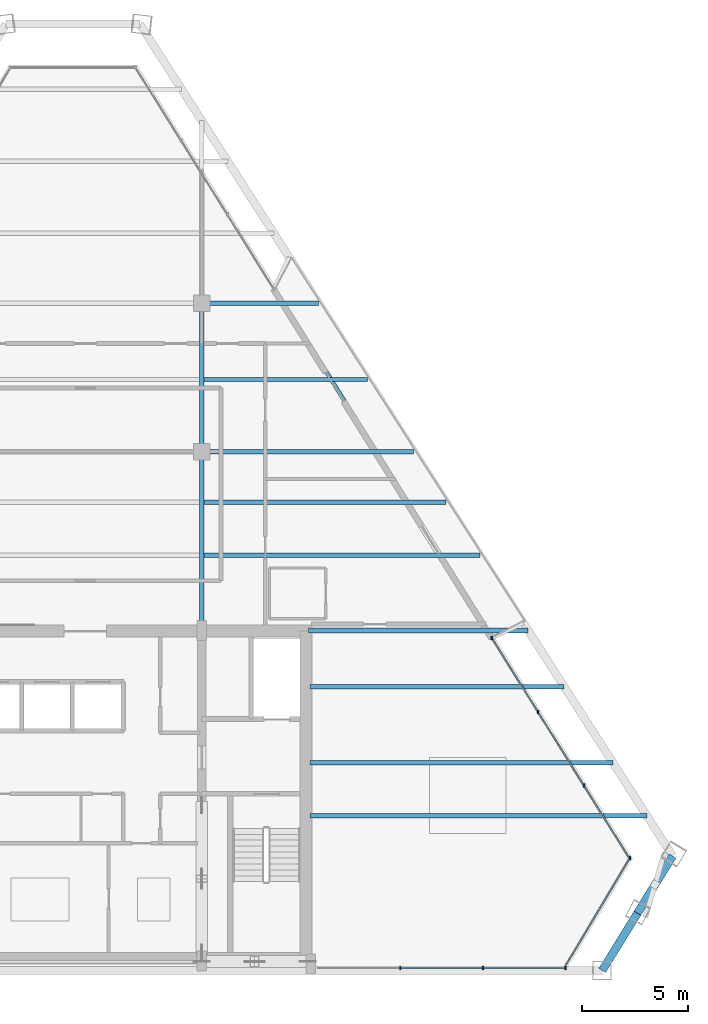
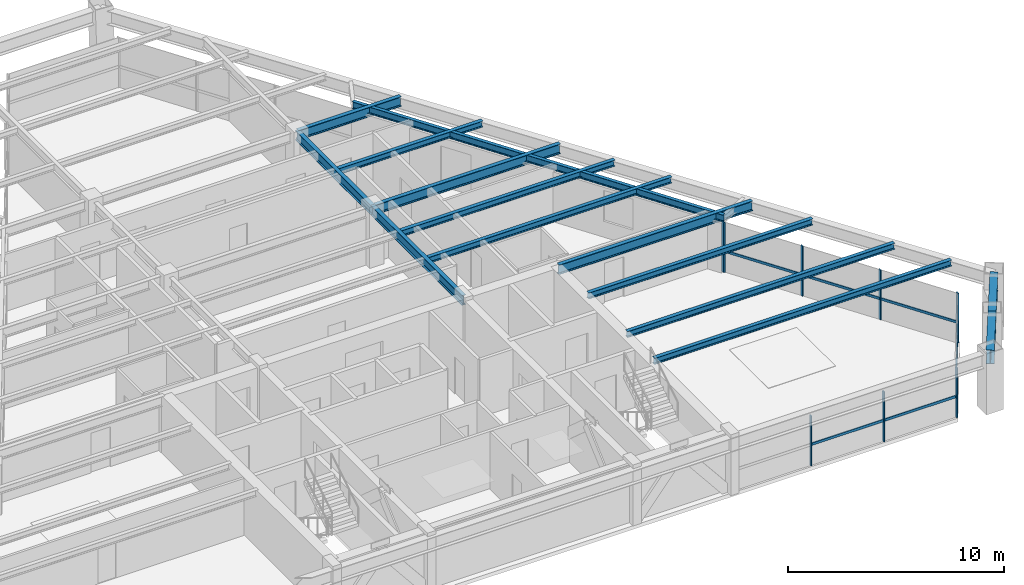
# One storey, part 4 of 12: 14 beams, 14 members, 3 elements without a shape of their own.
"""IFC4 building model written with IfcOpenShell, lengths in metres."""

from ifc_helpers import new_model, si_unit, direction, frame, origin, origin_2d, place, context, subcontext, project, spatial, rectangle, i_section, extrude, source, transform, mapped, material, material_profile, profile_set, type_object, type_shapes, element, aggregate, save


model = new_model("IFC4")

# Units and contexts
model_context = context("Model", 3, precision=1e-05, world=origin(), true_north=direction((0.0, 1.0)))
body_context = subcontext(model_context, "Body", "Model", "MODEL_VIEW")
ifc_project = project(units=[si_unit("LENGTHUNIT", "METRE"), si_unit("AREAUNIT", "SQUARE_METRE"), si_unit("VOLUMEUNIT", "CUBIC_METRE"), si_unit("PLANEANGLEUNIT", "RADIAN"), si_unit("MASSUNIT", "GRAM", prefix="KILO")], contexts=[model_context])

# Site, building, storey
site_placement = place(None, origin())
site = spatial("IfcSite", under=ifc_project, at=site_placement, CompositionType="ELEMENT")
building_placement = place(site_placement, origin())
building = spatial("IfcBuilding", under=site, at=building_placement, Name="Varnakhor Terracotta Tower", CompositionType="ELEMENT")
storey_placement = place(building_placement, frame((0.0, 0.0, 223.449951171875)))
storey = spatial("IfcBuildingStorey", under=building, at=storey_placement, Name="L57", CompositionType="ELEMENT", Elevation=223.449951171875)

# Beams
ifc_material_1 = material(Name="Steel S355", Category="steel")
ifc_material_profile_1 = material_profile(ifc_material_1, i_section(OverallWidth=0.214111328125, OverallDepth=0.549072265625, WebThickness=0.014892578125, FlangeThickness=0.02392578125, FilletRadius=0.01806640625, at=origin_2d()), Name="W21X93")
ifc_profile_set_1 = profile_set([ifc_material_profile_1], Name="Steel S355")
beam_type_1 = type_object("IfcBeamType", Name="BM-W21X93", PredefinedType="BEAM", material=ifc_profile_set_1)
shared_shape_1 = source(origin(), body_context, "Body", "SweptSolid", [
    extrude(i_section(OverallWidth=0.214111328125, OverallDepth=0.549072265625, WebThickness=0.014892578125, FlangeThickness=0.02392578125, FilletRadius=0.01806640625, at=origin_2d()), origin(), (0.0, 0.0, 1.0), 8.449951171875),
])
type_shapes(beam_type_1, [shared_shape_1])
beam_1_placement = place(storey_placement, frame((5.5, 16.050048828125, 2.965576171875), z_axis=(0.0, 1.0, 0.0), x_axis=(-1.0, 0.0, 0.0)))
element("IfcBeam", 1, at=beam_1_placement, inside=storey, type_object=beam_type_1, Name="L57 Primary Girder NS1-E", PredefinedType="BEAM", context=body_context, shape_type="MappedRepresentation", body=[
    mapped(shared_shape_1, transform((0.0, 0.0, 0.0), scale=1.0)),
])
shared_shape_2 = source(origin(), body_context, "Body", "SweptSolid", [
    extrude(i_section(OverallWidth=0.214111328125, OverallDepth=0.549072265625, WebThickness=0.014892578125, FlangeThickness=0.02392578125, FilletRadius=0.01806640625, at=origin_2d()), origin(), (0.0, 0.0, 1.0), 7.0),
])
beam_2_placement = place(storey_placement, frame((5.5, 24.5, 2.965576171875), z_axis=(0.0, 1.0, 0.0), x_axis=(-1.0, 0.0, 0.0)))
element("IfcBeam", 2, at=beam_2_placement, inside=storey, type_object=beam_type_1, Name="L57 Primary Girder NS2-E", PredefinedType="BEAM", context=body_context, shape_type="MappedRepresentation", body=[
    mapped(shared_shape_2, transform((0.0, 0.0, 0.0), scale=1.0)),
])
ifc_material_profile_2 = material_profile(ifc_material_1, i_section(OverallWidth=0.381103515625, OverallDepth=0.77294921875, WebThickness=0.01708984375, FlangeThickness=0.027099609375, FilletRadius=0.01806640625, at=origin_2d()), Name="W30X173")
ifc_profile_set_2 = profile_set([ifc_material_profile_2], Name="Steel S355")
beam_type_2 = type_object("IfcBeamType", Name="BM-W30X173", PredefinedType="BEAM", material=ifc_profile_set_2)
shared_shape_3 = source(origin(), body_context, "Body", "SweptSolid", [
    extrude(i_section(OverallWidth=0.381103515625, OverallDepth=0.77294921875, WebThickness=0.01708984375, FlangeThickness=0.027099609375, FilletRadius=0.01806640625, at=origin_2d()), origin(), (0.0, 0.0, 1.0), 3.17236328125),
])
beam_3_placement = place(storey_placement, frame((24.408935546875, 0.0, 2.853515625), z_axis=(0.523487550194, 0.852033323757, 0.0), x_axis=(-0.852033323757, 0.523487550194, 0.0)))
element("IfcBeam", 3, at=beam_3_placement, inside=storey, type_object=beam_type_2, Name="L57 Perimeter Spandrel 2", PredefinedType="BEAM", context=body_context, shape_type="MappedRepresentation", body=[
    mapped(shared_shape_3, transform((0.0, 0.0, 0.0), scale=1.0)),
])
shared_shape_4 = source(origin(), body_context, "Body", "SweptSolid", [
    extrude(i_section(OverallWidth=0.381103515625, OverallDepth=0.77294921875, WebThickness=0.01708984375, FlangeThickness=0.027099609375, FilletRadius=0.01806640625, at=origin_2d()), origin(), (0.0, 0.0, 1.0), 3.172119140625),
])
beam_4_placement = place(storey_placement, frame((26.069580078125, 2.702880859375, 2.853515625), z_axis=(0.523577746832, 0.851977900548, 0.0), x_axis=(-0.851977900548, 0.523577746832, 0.0)))
element("IfcBeam", 4, at=beam_4_placement, inside=storey, type_object=beam_type_2, Name="L57 Perimeter Spandrel 3", PredefinedType="BEAM", context=body_context, shape_type="MappedRepresentation", body=[
    mapped(shared_shape_4, transform((0.0, 0.0, 0.0), scale=1.0)),
])
ifc_material_profile_3 = material_profile(ifc_material_1, i_section(OverallWidth=0.179931640625, OverallDepth=0.39990234375, WebThickness=0.008544921875, FlangeThickness=0.013427734375, FilletRadius=0.01806640625, at=origin_2d()), Name="IPE400")
ifc_profile_set_3 = profile_set([ifc_material_profile_3], Name="Steel S355")
beam_type_3 = type_object("IfcBeamType", Name="JST-IPE400", PredefinedType="JOIST", material=ifc_profile_set_3)
shared_shape_5 = source(origin(), body_context, "Body", "SweptSolid", [
    extrude(i_section(OverallWidth=0.179931640625, OverallDepth=0.39990234375, WebThickness=0.008544921875, FlangeThickness=0.013427734375, FilletRadius=0.01806640625, at=origin_2d()), origin(), (0.0, 0.0, 1.0), 19.479736328125),
])
beam_5_placement = place(storey_placement, frame((19.214111328125, 15.69287109375, 3.0400390625), z_axis=(-0.52884709526, 0.848717120031, 0.0), x_axis=(-0.848717120031, -0.52884709526, 0.0)))
element("IfcBeam", 5, at=beam_5_placement, inside=storey, type_object=beam_type_3, Name="L57 Loggia Edge Beam 1", PredefinedType="JOIST", context=body_context, shape_type="MappedRepresentation", body=[
    mapped(shared_shape_5, transform((0.0, 0.0, 0.0), scale=1.0)),
])
shared_shape_6 = source(origin(), body_context, "Body", "SweptSolid", [
    extrude(i_section(OverallWidth=0.214111328125, OverallDepth=0.549072265625, WebThickness=0.014892578125, FlangeThickness=0.02392578125, FilletRadius=0.01806640625, at=origin_2d()), origin(), (0.0, 0.0, 1.0), 10.36376953125),
])
beam_6_placement = place(storey_placement, frame((10.550048828125, 16.050048828125, 2.965576171875), z_axis=(1.0, 0.0, 0.0), x_axis=(0.0, 1.0, 0.0)))
element("IfcBeam", 6, at=beam_6_placement, inside=storey, type_object=beam_type_1, Name="L57 Wing Girder E", PredefinedType="BEAM", context=body_context, shape_type="MappedRepresentation", body=[
    mapped(shared_shape_6, transform((0.0, 0.0, 0.0), scale=1.0)),
])
shared_shape_7 = source(origin(), body_context, "Body", "SweptSolid", [
    extrude(i_section(OverallWidth=0.214111328125, OverallDepth=0.549072265625, WebThickness=0.014892578125, FlangeThickness=0.02392578125, FilletRadius=0.01806640625, at=origin_2d()), origin(), (0.0, 0.0, 1.0), 10.002197265625),
])
beam_7_placement = place(storey_placement, frame((5.5, 24.5, 2.965576171875), z_axis=(1.0, 0.0, 0.0), x_axis=(0.0, 1.0, 0.0)))
element("IfcBeam", 7, at=beam_7_placement, inside=storey, type_object=beam_type_1, Name="L57 Primary Girder EW2-3", PredefinedType="BEAM", context=body_context, shape_type="MappedRepresentation", body=[
    mapped(shared_shape_7, transform((0.0, 0.0, 0.0), scale=1.0)),
])
shared_shape_8 = source(origin(), body_context, "Body", "SweptSolid", [
    extrude(i_section(OverallWidth=0.214111328125, OverallDepth=0.549072265625, WebThickness=0.014892578125, FlangeThickness=0.02392578125, FilletRadius=0.01806640625, at=origin_2d()), origin(), (0.0, 0.0, 1.0), 5.519287109375),
])
beam_8_placement = place(storey_placement, frame((5.5, 31.5, 2.965576171875), z_axis=(1.0, 0.0, 0.0), x_axis=(0.0, 1.0, 0.0)))
element("IfcBeam", 8, at=beam_8_placement, inside=storey, type_object=beam_type_1, Name="L57 Primary Girder EW3-3", PredefinedType="BEAM", context=body_context, shape_type="MappedRepresentation", body=[
    mapped(shared_shape_8, transform((0.0, 0.0, 0.0), scale=1.0)),
])
ifc_material_profile_4 = material_profile(ifc_material_1, i_section(OverallWidth=0.202880859375, OverallDepth=0.346923828125, WebThickness=0.0078125, FlangeThickness=0.013427734375, FilletRadius=0.01806640625, at=origin_2d()), Name="W14X43")
ifc_profile_set_4 = profile_set([ifc_material_profile_4], Name="Steel S355")
beam_type_4 = type_object("IfcBeamType", Name="JST-W14X43", PredefinedType="JOIST", material=ifc_profile_set_4)
shared_shape_9 = source(origin(), body_context, "Body", "SweptSolid", [
    extrude(i_section(OverallWidth=0.202880859375, OverallDepth=0.346923828125, WebThickness=0.0078125, FlangeThickness=0.013427734375, FilletRadius=0.01806640625, at=origin_2d()), origin(), (0.0, 0.0, 1.0), 15.917236328125),
])
beam_9_placement = place(storey_placement, frame((10.60009765625, 7.300048828125, 3.066650390625), z_axis=(1.0, 0.0, 0.0), x_axis=(0.0, 1.0, 0.0)))
element("IfcBeam", 9, at=beam_9_placement, inside=storey, type_object=beam_type_4, Name="L57 Floor Joist E1", PredefinedType="JOIST", context=body_context, shape_type="MappedRepresentation", body=[
    mapped(shared_shape_9, transform((0.0, 0.0, 0.0), scale=1.0)),
])
shared_shape_10 = source(origin(), body_context, "Body", "SweptSolid", [
    extrude(i_section(OverallWidth=0.202880859375, OverallDepth=0.346923828125, WebThickness=0.0078125, FlangeThickness=0.013427734375, FilletRadius=0.01806640625, at=origin_2d()), origin(), (0.0, 0.0, 1.0), 14.316162109375),
])
beam_10_placement = place(storey_placement, frame((10.60009765625, 9.800048828125, 3.066650390625), z_axis=(1.0, 0.0, 0.0), x_axis=(0.0, 1.0, 0.0)))
element("IfcBeam", 10, at=beam_10_placement, inside=storey, type_object=beam_type_4, Name="L57 Floor Joist E2", PredefinedType="JOIST", context=body_context, shape_type="MappedRepresentation", body=[
    mapped(shared_shape_10, transform((0.0, 0.0, 0.0), scale=1.0)),
])
shared_shape_11 = source(origin(), body_context, "Body", "SweptSolid", [
    extrude(i_section(OverallWidth=0.202880859375, OverallDepth=0.346923828125, WebThickness=0.0078125, FlangeThickness=0.013427734375, FilletRadius=0.01806640625, at=origin_2d()), origin(), (0.0, 0.0, 1.0), 12.0107421875),
])
beam_11_placement = place(storey_placement, frame((10.60009765625, 13.39990234375, 3.066650390625), z_axis=(1.0, 0.0, 0.0), x_axis=(0.0, 1.0, 0.0)))
element("IfcBeam", 11, at=beam_11_placement, inside=storey, type_object=beam_type_4, Name="L57 Floor Joist E3", PredefinedType="JOIST", context=body_context, shape_type="MappedRepresentation", body=[
    mapped(shared_shape_11, transform((0.0, 0.0, 0.0), scale=1.0)),
])
shared_shape_12 = source(origin(), body_context, "Body", "SweptSolid", [
    extrude(i_section(OverallWidth=0.202880859375, OverallDepth=0.346923828125, WebThickness=0.0078125, FlangeThickness=0.013427734375, FilletRadius=0.01806640625, at=origin_2d()), origin(), (0.0, 0.0, 1.0), 13.037353515625),
])
beam_12_placement = place(storey_placement, frame((5.60302734375, 19.60009765625, 3.066650390625), z_axis=(1.0, 0.0, 0.0), x_axis=(0.0, 1.0, 0.0)))
element("IfcBeam", 12, at=beam_12_placement, inside=storey, type_object=beam_type_4, Name="L57 Composite Floor Joist 4-3", PredefinedType="JOIST", context=body_context, shape_type="MappedRepresentation", body=[
    mapped(shared_shape_12, transform((0.0, 0.0, 0.0), scale=1.0)),
])
shared_shape_13 = source(origin(), body_context, "Body", "SweptSolid", [
    extrude(i_section(OverallWidth=0.202880859375, OverallDepth=0.346923828125, WebThickness=0.0078125, FlangeThickness=0.013427734375, FilletRadius=0.01806640625, at=origin_2d()), origin(), (0.0, 0.0, 1.0), 11.436279296875),
])
beam_13_placement = place(storey_placement, frame((5.60302734375, 22.10009765625, 3.066650390625), z_axis=(1.0, 0.0, 0.0), x_axis=(0.0, 1.0, 0.0)))
element("IfcBeam", 13, at=beam_13_placement, inside=storey, type_object=beam_type_4, Name="L57 Composite Floor Joist 5-3", PredefinedType="JOIST", context=body_context, shape_type="MappedRepresentation", body=[
    mapped(shared_shape_13, transform((0.0, 0.0, 0.0), scale=1.0)),
])
shared_shape_14 = source(origin(), body_context, "Body", "SweptSolid", [
    extrude(i_section(OverallWidth=0.202880859375, OverallDepth=0.346923828125, WebThickness=0.0078125, FlangeThickness=0.013427734375, FilletRadius=0.01806640625, at=origin_2d()), origin(), (0.0, 0.0, 1.0), 7.7216796875),
])
beam_14_placement = place(storey_placement, frame((5.60302734375, 27.89990234375, 3.066650390625), z_axis=(1.0, 0.0, 0.0), x_axis=(0.0, 1.0, 0.0)))
element("IfcBeam", 14, at=beam_14_placement, inside=storey, type_object=beam_type_4, Name="L57 Composite Floor Joist 6-3", PredefinedType="JOIST", context=body_context, shape_type="MappedRepresentation", body=[
    mapped(shared_shape_14, transform((0.0, 0.0, 0.0), scale=1.0)),
])

# Curtain wall, members
ifc_material_2 = material(Name="Anodised Aluminium Curtain Wall System", Category="aluminium")
curtain_wall_type = type_object("IfcCurtainWallType", Name="CW-SYS-HOTEL-LOGGIA", PredefinedType="NOTDEFINED", material=ifc_material_2)
curtain_wall_1_placement = place(storey_placement, origin())
curtain_wall_1 = element("IfcCurtainWall", 15, at=curtain_wall_1_placement, inside=storey, type_object=curtain_wall_type, Name="L57 E Facet Curtain Wall 2", PredefinedType="NOTDEFINED")
ifc_material_3 = material(Name="Anodised Aluminium 6063-T6", Category="aluminium")
ifc_material_profile_5 = material_profile(ifc_material_3, rectangle(XDim=0.06494140625, YDim=0.159912109375, at=origin_2d()), Name="ALU MULLION 65x160")
ifc_profile_set_5 = profile_set([ifc_material_profile_5], Name="Anodised Aluminium 6063-T6")
member_type_1 = type_object("IfcMemberType", Name="CWM-04", PredefinedType="MULLION", material=ifc_profile_set_5)
shared_shape_15 = source(origin(), body_context, "Body", "SweptSolid", [
    extrude(rectangle(XDim=0.06494140625, YDim=0.159912109375, at=origin_2d()), origin(), (0.0, 0.0, 1.0), 2.820068359375),
])
type_shapes(member_type_1, [shared_shape_15])
member_1_placement = place(storey_placement, frame((19.208740234375, 15.681640625, 0.0), z_axis=(0.0, 0.0, 1.0), x_axis=(1.0, 0.0, 0.0)))
member_1 = element("IfcMember", 16, at=member_1_placement, type_object=member_type_1, Name="L57 E Facet Curtain Wall 2 Mullion 1", PredefinedType="MULLION", context=body_context, shape_type="MappedRepresentation", body=[
    mapped(shared_shape_15, transform((0.0, 0.0, 0.0), scale=1.0)),
])
member_2_placement = place(storey_placement, frame((21.381591796875, 12.202392578125, 0.0), z_axis=(0.0, 0.0, 1.0), x_axis=(1.0, 0.0, 0.0)))
member_2 = element("IfcMember", 17, at=member_2_placement, type_object=member_type_1, Name="L57 E Facet Curtain Wall 2 Mullion 2", PredefinedType="MULLION", context=body_context, shape_type="MappedRepresentation", body=[
    mapped(shared_shape_15, transform((0.0, 0.0, 0.0), scale=1.0)),
])
member_3_placement = place(storey_placement, frame((23.554443359375, 8.723388671875, 0.0), z_axis=(0.0, 0.0, 1.0), x_axis=(1.0, 0.0, 0.0)))
member_3 = element("IfcMember", 18, at=member_3_placement, type_object=member_type_1, Name="L57 E Facet Curtain Wall 2 Mullion 3", PredefinedType="MULLION", context=body_context, shape_type="MappedRepresentation", body=[
    mapped(shared_shape_15, transform((0.0, 0.0, 0.0), scale=1.0)),
])
member_4_placement = place(storey_placement, frame((19.17578125, 15.696533203125, 0.0), z_axis=(0.0, 0.0, 1.0), x_axis=(1.0, 0.0, 0.0)))
member_4 = element("IfcMember", 19, at=member_4_placement, type_object=member_type_1, Name="L57 E Loggia Jamb Closure Mullion 2", PredefinedType="MULLION", context=body_context, shape_type="MappedRepresentation", body=[
    mapped(shared_shape_15, transform((0.0, 0.0, 0.0), scale=1.0)),
])

# Curtain wall, member
curtain_wall_2_placement = place(storey_placement, origin())
curtain_wall_2 = element("IfcCurtainWall", 20, at=curtain_wall_2_placement, inside=storey, type_object=curtain_wall_type, Name="L57 Facet Curtain Wall 4", PredefinedType="NOTDEFINED")
member_5_placement = place(storey_placement, frame((25.7265625, 5.318359375, 0.0), z_axis=(0.0, 0.0, 1.0), x_axis=(1.0, 0.0, 0.0)))
member_5 = element("IfcMember", 21, at=member_5_placement, type_object=member_type_1, Name="L57 Facet Curtain Wall 4 Mullion 1", PredefinedType="MULLION", context=body_context, shape_type="MappedRepresentation", body=[
    mapped(shared_shape_15, transform((0.0, 0.0, 0.0), scale=1.0)),
])

# Curtain wall, members
curtain_wall_3_placement = place(storey_placement, origin())
curtain_wall_3 = element("IfcCurtainWall", 22, at=curtain_wall_3_placement, inside=storey, type_object=curtain_wall_type, Name="L57 South Wing Curtain Wall SSE", PredefinedType="NOTDEFINED")
member_6_placement = place(storey_placement, frame((22.677001953125, 0.1201171875, 0.0), z_axis=(0.0, 0.0, 1.0), x_axis=(1.0, 0.0, 0.0)))
member_6 = element("IfcMember", 23, at=member_6_placement, type_object=member_type_1, Name="L57 South Wing Curtain Wall SSE Mullion 1", PredefinedType="MULLION", context=body_context, shape_type="MappedRepresentation", body=[
    mapped(shared_shape_15, transform((0.0, 0.0, 0.0), scale=1.0)),
])
member_7_placement = place(storey_placement, frame((18.774658203125, 0.1201171875, 0.0), z_axis=(0.0, 0.0, 1.0), x_axis=(1.0, 0.0, 0.0)))
member_7 = element("IfcMember", 24, at=member_7_placement, type_object=member_type_1, Name="L57 South Wing Curtain Wall SSE Mullion 2", PredefinedType="MULLION", context=body_context, shape_type="MappedRepresentation", body=[
    mapped(shared_shape_15, transform((0.0, 0.0, 0.0), scale=1.0)),
])
member_8_placement = place(storey_placement, frame((14.872314453125, 0.1201171875, 0.0), z_axis=(0.0, 0.0, 1.0), x_axis=(1.0, 0.0, 0.0)))
member_8 = element("IfcMember", 25, at=member_8_placement, type_object=member_type_1, Name="L57 South Wing Curtain Wall SSE Mullion 3", PredefinedType="MULLION", context=body_context, shape_type="MappedRepresentation", body=[
    mapped(shared_shape_15, transform((0.0, 0.0, 0.0), scale=1.0)),
])

# Member
ifc_material_profile_6 = material_profile(ifc_material_3, rectangle(XDim=0.06494140625, YDim=0.14501953125, at=origin_2d()), Name="ALU TRANSOM 65x145")
ifc_profile_set_6 = profile_set([ifc_material_profile_6], Name="Anodised Aluminium 6063-T6")
member_type_2 = type_object("IfcMemberType", Name="CWT-04", PredefinedType="USERDEFINED", material=ifc_profile_set_6)
shared_shape_16 = source(origin(), body_context, "Body", "SweptSolid", [
    extrude(rectangle(XDim=0.06494140625, YDim=0.14501953125, at=origin_2d()), origin(), (0.0, 0.0, 1.0), 4.101806640625),
])
member_9_placement = place(storey_placement, frame((21.381591796875, 12.202392578125, 1.1845703125), z_axis=(0.529731406294, -0.848165453898, 0.0), x_axis=(0.848165453898, 0.529731406294, 0.0)))
member_9 = element("IfcMember", 26, at=member_9_placement, type_object=member_type_2, Name="L57 E Facet Curtain Wall 2 Transom 2", ObjectType="TRANSOM", PredefinedType="USERDEFINED", context=body_context, shape_type="MappedRepresentation", body=[
    mapped(shared_shape_16, transform((0.0, 0.0, 0.0), scale=1.0)),
])

member_10_placement = place(storey_placement, frame((23.554443359375, 8.723388671875, 1.1845703125), z_axis=(0.529731406294, -0.848165453898, 0.0), x_axis=(0.848165453898, 0.529731406294, 0.0)))
member_10 = element("IfcMember", 27, at=member_10_placement, type_object=member_type_2, Name="L57 E Facet Curtain Wall 2 Transom 3", ObjectType="TRANSOM", PredefinedType="USERDEFINED", context=body_context, shape_type="MappedRepresentation", body=[
    mapped(shared_shape_16, transform((0.0, 0.0, 0.0), scale=1.0)),
])

shared_shape_17 = source(origin(), body_context, "Body", "SweptSolid", [
    extrude(rectangle(XDim=0.06494140625, YDim=0.14501953125, at=origin_2d()), origin(), (0.0, 0.0, 1.0), 4.10205078125),
])
member_11_placement = place(storey_placement, frame((19.208740234375, 15.681640625, 1.1845703125), z_axis=(0.52970466488, -0.848182154967, 0.0), x_axis=(0.848182154967, 0.52970466488, 0.0)))
member_11 = element("IfcMember", 28, at=member_11_placement, type_object=member_type_2, Name="L57 E Facet Curtain Wall 2 Transom 1", ObjectType="TRANSOM", PredefinedType="USERDEFINED", context=body_context, shape_type="MappedRepresentation", body=[
    mapped(shared_shape_17, transform((0.0, 0.0, 0.0), scale=1.0)),
])

aggregate(curtain_wall_1, [member_1, member_11, member_2, member_9, member_3, member_10, member_4])

shared_shape_18 = source(origin(), body_context, "Body", "SweptSolid", [
    extrude(rectangle(XDim=0.06494140625, YDim=0.14501953125, at=origin_2d()), origin(), (0.0, 0.0, 1.0), 6.094482421875),
])
member_12_placement = place(storey_placement, frame((25.7265625, 5.318359375, 1.1845703125), z_axis=(-0.513122468383, -0.858315403823, 0.0), x_axis=(0.858315403823, -0.513122468383, 0.0)))
member_12 = element("IfcMember", 29, at=member_12_placement, type_object=member_type_2, Name="L57 Facet Curtain Wall 4 Transom 1", ObjectType="TRANSOM", PredefinedType="USERDEFINED", context=body_context, shape_type="MappedRepresentation", body=[
    mapped(shared_shape_18, transform((0.0, 0.0, 0.0), scale=1.0)),
])

aggregate(curtain_wall_2, [member_5, member_12])

shared_shape_19 = source(origin(), body_context, "Body", "SweptSolid", [
    extrude(rectangle(XDim=0.06494140625, YDim=0.14501953125, at=origin_2d()), origin(), (0.0, 0.0, 1.0), 3.90234375),
])
member_13_placement = place(storey_placement, frame((22.677001953125, 0.1201171875, 1.1845703125), z_axis=(-1.0, 0.0, 0.0), x_axis=(0.0, -1.0, 0.0)))
member_13 = element("IfcMember", 30, at=member_13_placement, type_object=member_type_2, Name="L57 South Wing Curtain Wall SSE Transom 1", ObjectType="TRANSOM", PredefinedType="USERDEFINED", context=body_context, shape_type="MappedRepresentation", body=[
    mapped(shared_shape_19, transform((0.0, 0.0, 0.0), scale=1.0)),
])

member_14_placement = place(storey_placement, frame((18.774658203125, 0.1201171875, 1.1845703125), z_axis=(-1.0, 0.0, 0.0), x_axis=(0.0, -1.0, 0.0)))
member_14 = element("IfcMember", 31, at=member_14_placement, type_object=member_type_2, Name="L57 South Wing Curtain Wall SSE Transom 2", ObjectType="TRANSOM", PredefinedType="USERDEFINED", context=body_context, shape_type="MappedRepresentation", body=[
    mapped(shared_shape_19, transform((0.0, 0.0, 0.0), scale=1.0)),
])

aggregate(curtain_wall_3, [member_6, member_13, member_7, member_14, member_8])

save(model, "model.ifc")
